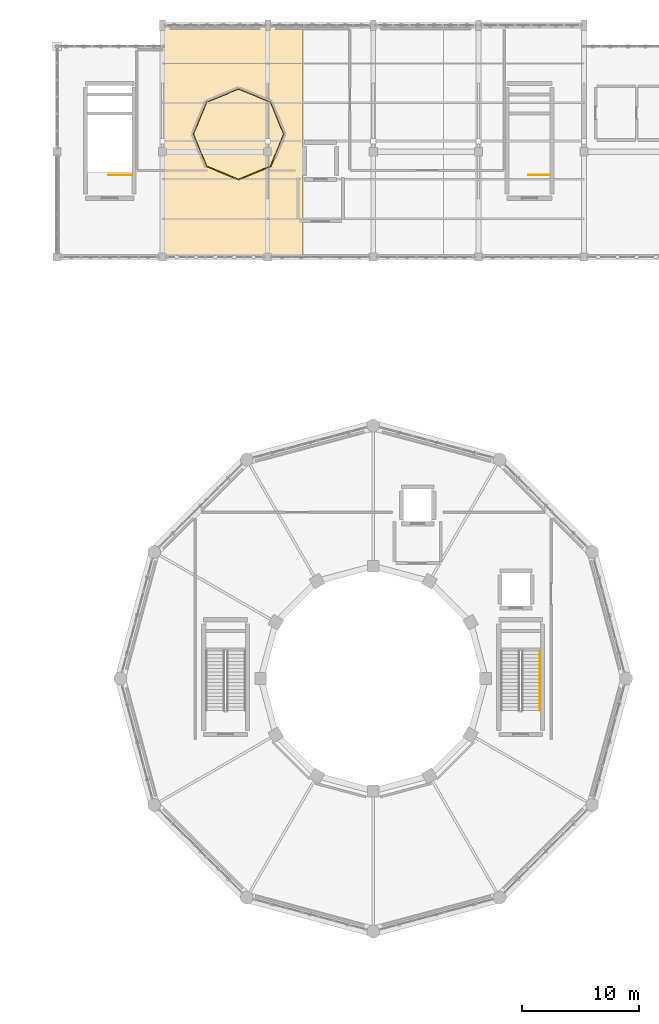
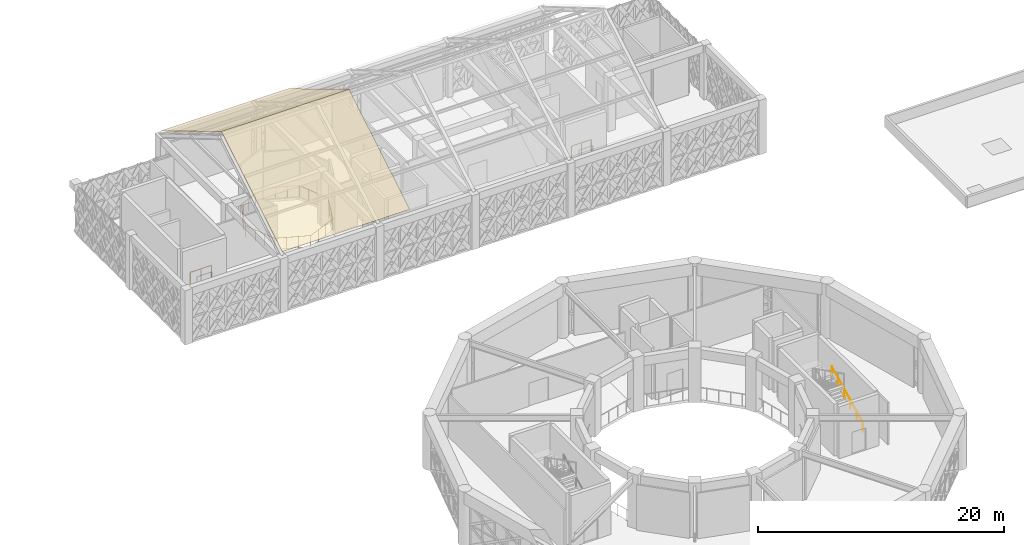
# One storey, part 72 of 72: 4 railings, 2 coverings.
"""IFC4 building model written with IfcOpenShell, lengths in metres."""

from ifc_helpers import new_model, si_unit, direction, frame, origin, origin_2d, place, context, subcontext, project, spatial, polyline, circle, outline, extrude, material, type_object, element, save


model = new_model("IFC4")

# Units and contexts
model_context = context("Model", 3, precision=1e-05, world=origin(), true_north=direction((0.0, 1.0)))
body_context = subcontext(model_context, "Body", "Model", "MODEL_VIEW")
ifc_project = project(units=[si_unit("LENGTHUNIT", "METRE"), si_unit("AREAUNIT", "SQUARE_METRE"), si_unit("VOLUMEUNIT", "CUBIC_METRE"), si_unit("PLANEANGLEUNIT", "RADIAN"), si_unit("MASSUNIT", "GRAM", prefix="KILO")], contexts=[model_context])

# Site, building, storey
site_placement = place(None, origin())
site = spatial("IfcSite", under=ifc_project, at=site_placement, CompositionType="ELEMENT")
building_placement = place(site_placement, origin())
building = spatial("IfcBuilding", under=site, at=building_placement, Name="Haizhuo Lancet Aquarium", CompositionType="ELEMENT")
storey_placement = place(building_placement, frame((0.0, 0.0, 21.60009765625)))
storey = spatial("IfcBuildingStorey", under=building, at=storey_placement, Name="L04", CompositionType="ELEMENT", Elevation=21.60009765625)

# Railings
ifc_material_1 = material(Name="Steel S355", Category="steel")
railing_type_1 = type_object("IfcRailingType", Name="RL-GRD-1150", PredefinedType="GUARDRAIL", material=ifc_material_1)
railing_1_placement = place(storey_placement, frame((-20.60009765625, 43.0, 0.0)))
element("IfcRailing", 1, at=railing_1_placement, inside=storey, type_object=railing_type_1, Name="L04 ST-07 top well guard 1", PredefinedType="GUARDRAIL", context=body_context, shape_type="SweptSolid", body=[
    extrude(circle(Radius=0.02392578125, at=origin_2d()), frame((-0.030029296875, 0.0, 1.1259765625), z_axis=(-1.0, 0.0, 0.0), x_axis=(0.0, -1.0, 0.0)), (0.0, 0.0, 1.0), 1.93994140625),
    extrude(circle(Radius=0.02099609375, at=origin_2d()), origin(), (0.0, 0.0, 1.0), 1.097900390625),
    extrude(circle(Radius=0.02099609375, at=origin_2d()), frame((-1.0, 0.0, 0.0)), (0.0, 0.0, 1.0), 1.097900390625),
    extrude(circle(Radius=0.02099609375, at=origin_2d()), frame((-2.0, 0.0, 0.0)), (0.0, 0.0, 1.0), 1.097900390625),
])
railing_2_placement = place(storey_placement, frame((15.10009765625, 43.0, 0.0)))
element("IfcRailing", 2, at=railing_2_placement, inside=storey, type_object=railing_type_1, Name="L04 ST-08 top well guard 1", PredefinedType="GUARDRAIL", context=body_context, shape_type="SweptSolid", body=[
    extrude(circle(Radius=0.02392578125, at=origin_2d()), frame((-0.030029296875, 0.0, 1.1259765625), z_axis=(-1.0, 0.0, 0.0), x_axis=(0.0, -1.0, 0.0)), (0.0, 0.0, 1.0), 1.7900390625),
    extrude(circle(Radius=0.02099609375, at=origin_2d()), origin(), (0.0, 0.0, 1.0), 1.097900390625),
    extrude(circle(Radius=0.02099609375, at=origin_2d()), frame((-0.925048828125, 0.0, 0.0)), (0.0, 0.0, 1.0), 1.097900390625),
    extrude(circle(Radius=0.02099609375, at=origin_2d()), frame((-1.85009765625, 0.0, 0.0)), (0.0, 0.0, 1.0), 1.097900390625),
])
railing_3_placement = place(storey_placement, frame((-7.6201171875, 46.5, 0.0)))
element("IfcRailing", 3, at=railing_3_placement, inside=storey, type_object=railing_type_1, Name="L04 atrium opening guardrail V5KLP", PredefinedType="GUARDRAIL", context=body_context, shape_type="SweptSolid", body=[
    extrude(circle(Radius=0.02392578125, at=origin_2d()), frame((-0.011474609375, 0.02783203125, 1.1259765625), z_axis=(-0.382518791907, 0.923947711636, 0.0), x_axis=(-0.923947711636, -0.382518791907, 0.0)), (0.0, 0.0, 1.0), 2.90966796875),
    extrude(circle(Radius=0.02392578125, at=origin_2d()), frame((-1.163818359375, 2.75537109375, 1.1259765625), z_axis=(-0.923947711636, 0.382518791907, 0.0), x_axis=(-0.382518791907, -0.923947711636, 0.0)), (0.0, 0.0, 1.0), 2.90966796875),
    extrude(circle(Radius=0.02392578125, at=origin_2d()), frame((-3.90771484375, 3.868408203125, 1.1259765625), z_axis=(-0.923947711636, -0.382518791907, 0.0), x_axis=(0.382518791907, -0.923947711636, 0.0)), (0.0, 0.0, 1.0), 2.90966796875),
    extrude(circle(Radius=0.02392578125, at=origin_2d()), frame((-6.63525390625, 2.716064453125, 1.1259765625), z_axis=(-0.382518791907, -0.923947711636, 0.0), x_axis=(0.923947711636, -0.382518791907, 0.0)), (0.0, 0.0, 1.0), 2.90966796875),
    extrude(circle(Radius=0.02392578125, at=origin_2d()), frame((-7.748291015625, -0.02783203125, 1.1259765625), z_axis=(0.382518791907, -0.923947711636, 0.0), x_axis=(0.923947711636, 0.382518791907, 0.0)), (0.0, 0.0, 1.0), 2.90966796875),
    extrude(circle(Radius=0.02392578125, at=origin_2d()), frame((-6.595947265625, -2.75537109375, 1.1259765625), z_axis=(0.923947711636, -0.382518791907, 0.0), x_axis=(0.382518791907, 0.923947711636, 0.0)), (0.0, 0.0, 1.0), 2.90966796875),
    extrude(circle(Radius=0.02392578125, at=origin_2d()), frame((-3.85205078125, -3.868408203125, 1.1259765625), z_axis=(0.923947711636, 0.382518791907, 0.0), x_axis=(-0.382518791907, 0.923947711636, 0.0)), (0.0, 0.0, 1.0), 2.90966796875),
    extrude(circle(Radius=0.02392578125, at=origin_2d()), frame((-1.12451171875, -2.716064453125, 1.1259765625), z_axis=(0.382518791907, 0.923947711636, 0.0), x_axis=(-0.923947711636, 0.382518791907, 0.0)), (0.0, 0.0, 1.0), 2.90966796875),
    extrude(circle(Radius=0.02099609375, at=origin_2d()), origin(), (0.0, 0.0, 1.0), 1.097900390625),
    extrude(circle(Radius=0.02099609375, at=origin_2d()), frame((-0.378662109375, 0.91455078125, 0.0)), (0.0, 0.0, 1.0), 1.097900390625),
    extrude(circle(Radius=0.02099609375, at=origin_2d()), frame((-0.75732421875, 1.829345703125, 0.0)), (0.0, 0.0, 1.0), 1.097900390625),
    extrude(circle(Radius=0.02099609375, at=origin_2d()), frame((-1.135986328125, 2.743896484375, 0.0)), (0.0, 0.0, 1.0), 1.097900390625),
    extrude(circle(Radius=0.02099609375, at=origin_2d()), frame((-2.050537109375, 3.12255859375, 0.0)), (0.0, 0.0, 1.0), 1.097900390625),
    extrude(circle(Radius=0.02099609375, at=origin_2d()), frame((-2.96533203125, 3.501220703125, 0.0)), (0.0, 0.0, 1.0), 1.097900390625),
    extrude(circle(Radius=0.02099609375, at=origin_2d()), frame((-3.8798828125, 3.8798828125, 0.0)), (0.0, 0.0, 1.0), 1.097900390625),
    extrude(circle(Radius=0.02099609375, at=origin_2d()), frame((-4.79443359375, 3.501220703125, 0.0)), (0.0, 0.0, 1.0), 1.097900390625),
    extrude(circle(Radius=0.02099609375, at=origin_2d()), frame((-5.709228515625, 3.12255859375, 0.0)), (0.0, 0.0, 1.0), 1.097900390625),
    extrude(circle(Radius=0.02099609375, at=origin_2d()), frame((-6.623779296875, 2.743896484375, 0.0)), (0.0, 0.0, 1.0), 1.097900390625),
    extrude(circle(Radius=0.02099609375, at=origin_2d()), frame((-7.00244140625, 1.829345703125, 0.0)), (0.0, 0.0, 1.0), 1.097900390625),
    extrude(circle(Radius=0.02099609375, at=origin_2d()), frame((-7.381103515625, 0.91455078125, 0.0)), (0.0, 0.0, 1.0), 1.097900390625),
    extrude(circle(Radius=0.02099609375, at=origin_2d()), frame((-7.759765625, 0.0, 0.0)), (0.0, 0.0, 1.0), 1.097900390625),
    extrude(circle(Radius=0.02099609375, at=origin_2d()), frame((-7.381103515625, -0.91455078125, 0.0)), (0.0, 0.0, 1.0), 1.097900390625),
    extrude(circle(Radius=0.02099609375, at=origin_2d()), frame((-7.00244140625, -1.829345703125, 0.0)), (0.0, 0.0, 1.0), 1.097900390625),
    extrude(circle(Radius=0.02099609375, at=origin_2d()), frame((-6.623779296875, -2.743896484375, 0.0)), (0.0, 0.0, 1.0), 1.097900390625),
    extrude(circle(Radius=0.02099609375, at=origin_2d()), frame((-5.709228515625, -3.12255859375, 0.0)), (0.0, 0.0, 1.0), 1.097900390625),
    extrude(circle(Radius=0.02099609375, at=origin_2d()), frame((-4.79443359375, -3.501220703125, 0.0)), (0.0, 0.0, 1.0), 1.097900390625),
    extrude(circle(Radius=0.02099609375, at=origin_2d()), frame((-3.8798828125, -3.8798828125, 0.0)), (0.0, 0.0, 1.0), 1.097900390625),
    extrude(circle(Radius=0.02099609375, at=origin_2d()), frame((-2.96533203125, -3.501220703125, 0.0)), (0.0, 0.0, 1.0), 1.097900390625),
    extrude(circle(Radius=0.02099609375, at=origin_2d()), frame((-2.050537109375, -3.12255859375, 0.0)), (0.0, 0.0, 1.0), 1.097900390625),
    extrude(circle(Radius=0.02099609375, at=origin_2d()), frame((-1.135986328125, -2.743896484375, 0.0)), (0.0, 0.0, 1.0), 1.097900390625),
    extrude(circle(Radius=0.02099609375, at=origin_2d()), frame((-0.75732421875, -1.829345703125, 0.0)), (0.0, 0.0, 1.0), 1.097900390625),
    extrude(circle(Radius=0.02099609375, at=origin_2d()), frame((-0.378662109375, -0.91455078125, 0.0)), (0.0, 0.0, 1.0), 1.097900390625),
])
railing_type_2 = type_object("IfcRailingType", Name="RL-HDR-900", PredefinedType="HANDRAIL", material=ifc_material_1)
railing_4_placement = place(storey_placement, frame((14.25, -2.75, 0.14990234375)))
element("IfcRailing", 4, at=railing_4_placement, inside=storey, type_object=railing_type_2, Name="L04 ST-02 pitch handrail 1", PredefinedType="HANDRAIL", context=body_context, shape_type="SweptSolid", body=[
    extrude(circle(Radius=0.02392578125, at=origin_2d()), frame((0.0, 0.02685546875, 0.88916015625), z_axis=(0.0, 0.894427191, 0.4472135955), x_axis=(-1.0, 0.0, 0.0)), (0.0, 0.0, 1.0), 5.64208984375),
    extrude(circle(Radius=0.02099609375, at=origin_2d()), origin(), (0.0, 0.0, 1.0), 0.847900390625),
    extrude(circle(Radius=0.02099609375, at=origin_2d()), frame((0.0, 1.02001953125, 0.510009765625)), (0.0, 0.0, 1.0), 0.847900390625),
    extrude(circle(Radius=0.02099609375, at=origin_2d()), frame((0.0, 2.0400390625, 1.02001953125)), (0.0, 0.0, 1.0), 0.847900390625),
    extrude(circle(Radius=0.02099609375, at=origin_2d()), frame((0.0, 3.06005859375, 1.530029296875)), (0.0, 0.0, 1.0), 0.847900390625),
    extrude(circle(Radius=0.02099609375, at=origin_2d()), frame((0.0, 4.080078125, 2.0400390625)), (0.0, 0.0, 1.0), 0.847900390625),
    extrude(circle(Radius=0.02099609375, at=origin_2d()), frame((0.0, 5.10009765625, 2.550048828125)), (0.0, 0.0, 1.0), 0.847900390625),
])

# Coverings
ifc_material_2 = material(Name="Standing-Seam Titanium Zinc", Category="steel")
covering_type = type_object("IfcCoveringType", Name="COV-RF-ZINC", PredefinedType="ROOFING", material=ifc_material_2)
covering_1_placement = place(storey_placement, frame((-18.0, 36.0, 5.81494140625), z_axis=(0.0, -0.514557947126, 0.857455607626), x_axis=(1.0, 0.0, 0.0)))
element("IfcCovering", 5, at=covering_1_placement, inside=storey, type_object=covering_type, material=ifc_material_2, Name="V5 standing-seam titanium zinc roofing S", PredefinedType="ROOFING", context=body_context, shape_type="SweptSolid", body=[
    extrude(outline(polyline([(0.0, 0.0), (12.0, 0.0), (12.0, 11.545673333643359), (0.0, 11.545673333643359), (0.0, 0.0)])), origin(), (0.0, 0.0, -1.0), 0.02490234375),
])
covering_2_placement = place(storey_placement, frame((-6.0, 55.800048828125, 5.81494140625), z_axis=(0.0, 0.514548617586, 0.857461206202), x_axis=(-1.0, 0.0, 0.0)))
element("IfcCovering", 6, at=covering_2_placement, inside=storey, type_object=covering_type, material=ifc_material_2, Name="V5 standing-seam titanium zinc roofing N", PredefinedType="ROOFING", context=body_context, shape_type="SweptSolid", body=[
    extrude(outline(polyline([(0.0, 0.0), (12.0, 0.0), (12.0, 11.54588267407474), (0.0, 11.54588267407474), (0.0, 0.0)])), origin(), (0.0, 0.0, -1.0), 0.02490234375),
])

save(model, "model.ifc")
